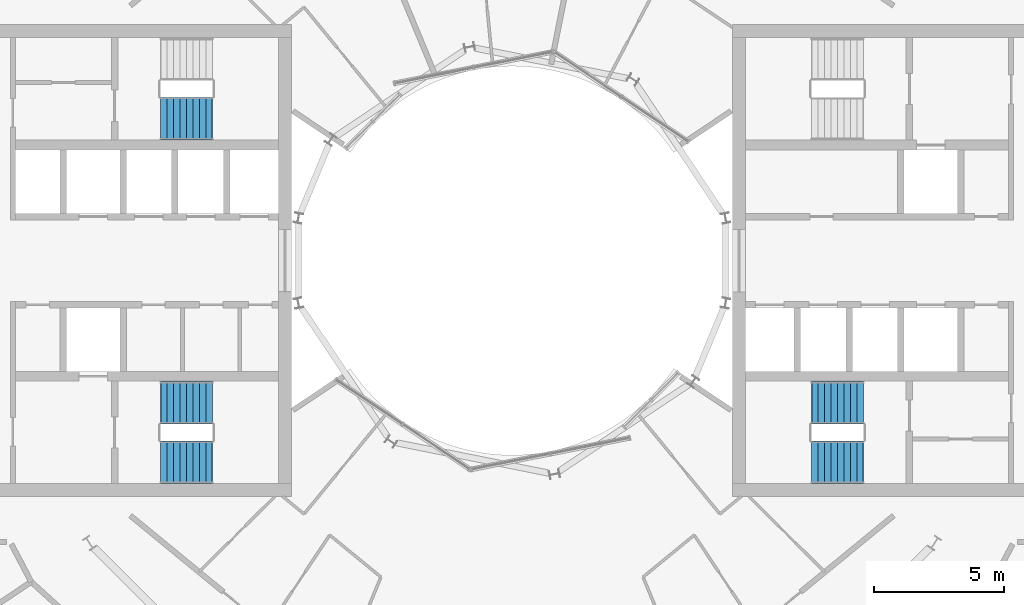
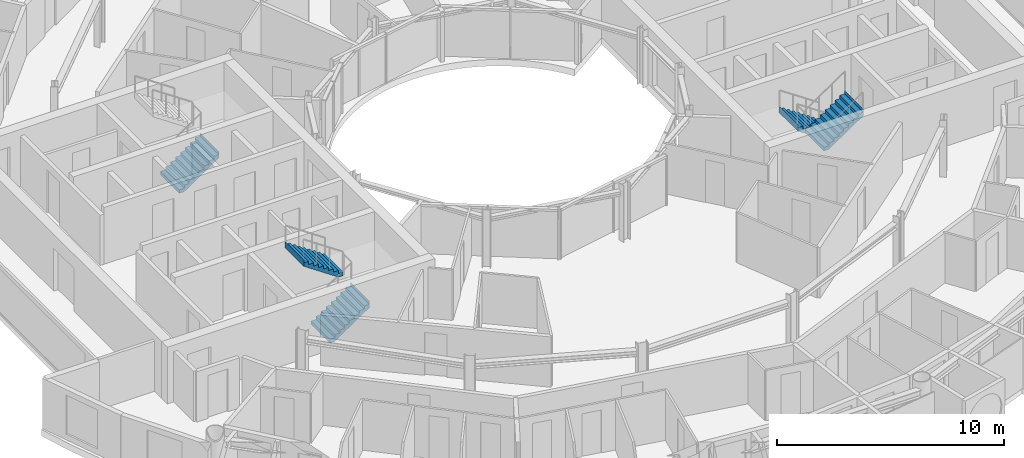
# One storey, part 24 of 27: 5 stair flights, 3 elements without a shape of their own.
"""IFC4 building model written with IfcOpenShell, lengths in metres."""

from ifc_helpers import new_model, si_unit, direction, frame, origin, place, context, subcontext, project, spatial, triangles, material, type_object, element, aggregate, save


model = new_model("IFC4")

# Units and contexts
model_context = context("Model", 3, precision=1e-05, world=origin(), true_north=direction((0.0, 1.0)))
body_context = subcontext(model_context, "Body", "Model", "MODEL_VIEW")
ifc_project = project(units=[si_unit("LENGTHUNIT", "METRE"), si_unit("AREAUNIT", "SQUARE_METRE"), si_unit("VOLUMEUNIT", "CUBIC_METRE"), si_unit("PLANEANGLEUNIT", "RADIAN"), si_unit("MASSUNIT", "GRAM", prefix="KILO")], contexts=[model_context])

# Site, building, storey
site_placement = place(None, origin())
site = spatial("IfcSite", under=ifc_project, at=site_placement, CompositionType="ELEMENT")
building_placement = place(site_placement, origin())
building = spatial("IfcBuilding", under=site, at=building_placement, Name="Maasbend Ring Residences", CompositionType="ELEMENT")
storey_placement = place(building_placement, frame((0.0, 0.0, 148.25)))
storey = spatial("IfcBuildingStorey", under=building, at=storey_placement, Name="L42", CompositionType="ELEMENT", Elevation=148.25)

# Stair, stair flights
ifc_material_1 = material(Name="Concrete C40/50", Category="concrete")
stair_type = type_object("IfcStairType", Name="CORE STAIR 18 RISERS", PredefinedType="HALF_TURN_STAIR", material=ifc_material_1)
stair_1_placement = place(storey_placement, origin())
stair_1 = element("IfcStair", 1, at=stair_1_placement, inside=storey, type_object=stair_type, Name="L42 Exit stair ST-E2", PredefinedType="HALF_TURN_STAIR")
ifc_material_2 = material(Name="Concrete C40/50", Category="concrete")
stair_flight_type = type_object("IfcStairFlightType", Name="CORE STAIR FLIGHT 1650", PredefinedType="STRAIGHT", material=ifc_material_2)
stair_flight_1_placement = place(storey_placement, frame((13.550048828125, -5.47509765625, 0.0), z_axis=(0.0, 0.0, 1.0), x_axis=(-1.0, 0.0, 0.0)))
stair_flight_1 = element("IfcStairFlight", 2, at=stair_flight_1_placement, type_object=stair_flight_type, Name="ST-E2 flight 1", NumberOfRisers=9, NumberOfTreads=8, PredefinedType="STRAIGHT", RiserHeight=0.169444444, TreadLength=0.25, context=body_context, shape_type="Tessellation", body=[
    triangles([(0.24072265625, 0.824951171875, -0.02001953125), (2.0029296875, 0.824951171875, 1.174560546875), (2.0029296875, 0.824951171875, 1.52490234375), (1.989990234375, 0.824951171875, 1.35546875), (1.75, 0.824951171875, 1.35546875), (1.75, 0.824951171875, 1.18603515625), (1.5, 0.824951171875, 1.18603515625), (1.5, 0.824951171875, 1.0166015625), (1.25, 0.824951171875, 1.0166015625), (1.25, 0.824951171875, 0.84716796875), (1.0, 0.824951171875, 0.84716796875), (1.0, 0.824951171875, 0.677734375), (0.75, 0.824951171875, 0.677734375), (0.75, 0.824951171875, 0.50830078125), (0.5, 0.824951171875, 0.50830078125), (0.5, 0.824951171875, 0.3388671875), (0.25, 0.824951171875, 0.3388671875), (0.25, 0.824951171875, 0.16943359375), (0.0, 0.824951171875, 0.16943359375), (0.0, 0.824951171875, 0.0), (-0.0029296875, 0.824951171875, 0.0), (-0.0029296875, 0.824951171875, -0.02001953125), (0.24072265625, 0.27490234375, -0.02001953125), (2.0029296875, 0.27490234375, 1.174560546875), (2.0029296875, 0.27490234375, 1.52490234375), (1.989990234375, 0.27490234375, 1.35546875), (1.75, 0.27490234375, 1.35546875), (1.75, 0.27490234375, 1.18603515625), (1.5, 0.27490234375, 1.18603515625), (1.5, 0.27490234375, 1.0166015625), (1.25, 0.27490234375, 1.0166015625), (1.25, 0.27490234375, 0.84716796875), (1.0, 0.27490234375, 0.84716796875), (1.0, 0.27490234375, 0.677734375), (0.75, 0.27490234375, 0.677734375), (0.75, 0.27490234375, 0.50830078125), (0.5, 0.27490234375, 0.50830078125), (0.5, 0.27490234375, 0.3388671875), (0.25, 0.27490234375, 0.3388671875), (0.25, 0.27490234375, 0.16943359375), (0.0, 0.27490234375, 0.16943359375), (0.0, 0.27490234375, 0.0), (-0.0029296875, 0.27490234375, 0.0), (-0.0029296875, 0.27490234375, -0.02001953125), (0.24072265625, -0.27490234375, -0.02001953125), (2.0029296875, -0.27490234375, 1.174560546875), (2.0029296875, -0.27490234375, 1.52490234375), (1.989990234375, -0.27490234375, 1.35546875), (1.75, -0.27490234375, 1.35546875), (1.75, -0.27490234375, 1.18603515625), (1.5, -0.27490234375, 1.18603515625), (1.5, -0.27490234375, 1.0166015625), (1.25, -0.27490234375, 1.0166015625), (1.25, -0.27490234375, 0.84716796875), (1.0, -0.27490234375, 0.84716796875), (1.0, -0.27490234375, 0.677734375), (0.75, -0.27490234375, 0.677734375), (0.75, -0.27490234375, 0.50830078125), (0.5, -0.27490234375, 0.50830078125), (0.5, -0.27490234375, 0.3388671875), (0.25, -0.27490234375, 0.3388671875), (0.25, -0.27490234375, 0.16943359375), (0.0, -0.27490234375, 0.16943359375), (0.0, -0.27490234375, 0.0), (-0.0029296875, -0.27490234375, 0.0), (-0.0029296875, -0.27490234375, -0.02001953125), (0.24072265625, -0.824951171875, -0.02001953125), (2.0029296875, -0.824951171875, 1.174560546875), (2.0029296875, -0.824951171875, 1.52490234375), (1.989990234375, -0.824951171875, 1.35546875), (1.75, -0.824951171875, 1.35546875), (1.75, -0.824951171875, 1.18603515625), (1.5, -0.824951171875, 1.18603515625), (1.5, -0.824951171875, 1.0166015625), (1.25, -0.824951171875, 1.0166015625), (1.25, -0.824951171875, 0.84716796875), (1.0, -0.824951171875, 0.84716796875), (1.0, -0.824951171875, 0.677734375), (0.75, -0.824951171875, 0.677734375), (0.75, -0.824951171875, 0.50830078125), (0.5, -0.824951171875, 0.50830078125), (0.5, -0.824951171875, 0.3388671875), (0.25, -0.824951171875, 0.3388671875), (0.25, -0.824951171875, 0.16943359375), (0.0, -0.824951171875, 0.16943359375), (0.0, -0.824951171875, 0.0), (-0.0029296875, -0.824951171875, 0.0), (-0.0029296875, -0.824951171875, -0.02001953125)], [[1, 2, 24], [1, 24, 23], [23, 24, 46], [23, 46, 45], [45, 46, 68], [45, 68, 67], [2, 3, 25], [2, 25, 24], [24, 25, 47], [24, 47, 46], [46, 47, 69], [46, 69, 68], [3, 4, 26], [3, 26, 25], [25, 26, 48], [25, 48, 47], [47, 48, 70], [47, 70, 69], [4, 5, 27], [4, 27, 26], [26, 27, 49], [26, 49, 48], [48, 49, 71], [48, 71, 70], [5, 6, 28], [5, 28, 27], [27, 28, 50], [27, 50, 49], [49, 50, 72], [49, 72, 71], [6, 7, 29], [6, 29, 28], [28, 29, 51], [28, 51, 50], [50, 51, 73], [50, 73, 72], [7, 8, 30], [7, 30, 29], [29, 30, 52], [29, 52, 51], [51, 52, 74], [51, 74, 73], [8, 9, 31], [8, 31, 30], [30, 31, 53], [30, 53, 52], [52, 53, 75], [52, 75, 74], [9, 10, 32], [9, 32, 31], [31, 32, 54], [31, 54, 53], [53, 54, 76], [53, 76, 75], [10, 11, 33], [10, 33, 32], [32, 33, 55], [32, 55, 54], [54, 55, 77], [54, 77, 76], [11, 12, 34], [11, 34, 33], [33, 34, 56], [33, 56, 55], [55, 56, 78], [55, 78, 77], [12, 13, 35], [12, 35, 34], [34, 35, 57], [34, 57, 56], [56, 57, 79], [56, 79, 78], [13, 14, 36], [13, 36, 35], [35, 36, 58], [35, 58, 57], [57, 58, 80], [57, 80, 79], [14, 15, 37], [14, 37, 36], [36, 37, 59], [36, 59, 58], [58, 59, 81], [58, 81, 80], [15, 16, 38], [15, 38, 37], [37, 38, 60], [37, 60, 59], [59, 60, 82], [59, 82, 81], [16, 17, 39], [16, 39, 38], [38, 39, 61], [38, 61, 60], [60, 61, 83], [60, 83, 82], [17, 18, 40], [17, 40, 39], [39, 40, 62], [39, 62, 61], [61, 62, 84], [61, 84, 83], [18, 19, 41], [18, 41, 40], [40, 41, 63], [40, 63, 62], [62, 63, 85], [62, 85, 84], [19, 20, 42], [19, 42, 41], [41, 42, 64], [41, 64, 63], [63, 64, 86], [63, 86, 85], [20, 21, 43], [20, 43, 42], [42, 43, 65], [42, 65, 64], [64, 65, 87], [64, 87, 86], [21, 22, 44], [21, 44, 43], [43, 44, 66], [43, 66, 65], [65, 66, 88], [65, 88, 87], [22, 1, 23], [22, 23, 44], [44, 23, 45], [44, 45, 66], [66, 45, 67], [66, 67, 88], [22, 2, 1], [2, 4, 3], [2, 5, 4], [2, 6, 5], [22, 6, 2], [6, 8, 7], [22, 8, 6], [8, 10, 9], [22, 10, 8], [10, 12, 11], [22, 12, 10], [12, 14, 13], [22, 14, 12], [14, 16, 15], [22, 16, 14], [16, 18, 17], [22, 18, 16], [18, 20, 19], [22, 20, 18], [20, 22, 21], [88, 67, 68], [68, 69, 70], [68, 70, 71], [68, 71, 72], [88, 68, 72], [72, 73, 74], [88, 72, 74], [74, 75, 76], [88, 74, 76], [76, 77, 78], [88, 76, 78], [78, 79, 80], [88, 78, 80], [80, 81, 82], [88, 80, 82], [82, 83, 84], [88, 82, 84], [84, 85, 86], [88, 84, 86], [86, 87, 88]], closed=True),
])
stair_flight_2_placement = place(storey_placement, frame((11.550048828125, -7.77490234375, 1.52490234375), z_axis=(0.0, 0.0, 1.0), x_axis=(1.0, 0.0, 0.0)))
stair_flight_2 = element("IfcStairFlight", 3, at=stair_flight_2_placement, type_object=stair_flight_type, Name="ST-E2 flight 2", NumberOfRisers=9, NumberOfTreads=8, PredefinedType="STRAIGHT", RiserHeight=0.169444444, TreadLength=0.25, context=body_context, shape_type="Tessellation", body=[
    triangles([(0.24072265625, 0.824951171875, -0.02001953125), (2.0029296875, 0.824951171875, 1.174560546875), (2.0029296875, 0.824951171875, 1.52490234375), (1.989990234375, 0.824951171875, 1.35546875), (1.75, 0.824951171875, 1.35546875), (1.75, 0.824951171875, 1.18603515625), (1.5, 0.824951171875, 1.18603515625), (1.5, 0.824951171875, 1.0166015625), (1.25, 0.824951171875, 1.0166015625), (1.25, 0.824951171875, 0.84716796875), (1.0, 0.824951171875, 0.84716796875), (1.0, 0.824951171875, 0.677734375), (0.75, 0.824951171875, 0.677734375), (0.75, 0.824951171875, 0.50830078125), (0.5, 0.824951171875, 0.50830078125), (0.5, 0.824951171875, 0.3388671875), (0.25, 0.824951171875, 0.3388671875), (0.25, 0.824951171875, 0.16943359375), (0.0, 0.824951171875, 0.16943359375), (0.0, 0.824951171875, 0.0), (-0.0029296875, 0.824951171875, 0.0), (-0.0029296875, 0.824951171875, -0.02001953125), (0.24072265625, 0.27490234375, -0.02001953125), (2.0029296875, 0.27490234375, 1.174560546875), (2.0029296875, 0.27490234375, 1.52490234375), (1.989990234375, 0.27490234375, 1.35546875), (1.75, 0.27490234375, 1.35546875), (1.75, 0.27490234375, 1.18603515625), (1.5, 0.27490234375, 1.18603515625), (1.5, 0.27490234375, 1.0166015625), (1.25, 0.27490234375, 1.0166015625), (1.25, 0.27490234375, 0.84716796875), (1.0, 0.27490234375, 0.84716796875), (1.0, 0.27490234375, 0.677734375), (0.75, 0.27490234375, 0.677734375), (0.75, 0.27490234375, 0.50830078125), (0.5, 0.27490234375, 0.50830078125), (0.5, 0.27490234375, 0.3388671875), (0.25, 0.27490234375, 0.3388671875), (0.25, 0.27490234375, 0.16943359375), (0.0, 0.27490234375, 0.16943359375), (0.0, 0.27490234375, 0.0), (-0.0029296875, 0.27490234375, 0.0), (-0.0029296875, 0.27490234375, -0.02001953125), (0.24072265625, -0.27490234375, -0.02001953125), (2.0029296875, -0.27490234375, 1.174560546875), (2.0029296875, -0.27490234375, 1.52490234375), (1.989990234375, -0.27490234375, 1.35546875), (1.75, -0.27490234375, 1.35546875), (1.75, -0.27490234375, 1.18603515625), (1.5, -0.27490234375, 1.18603515625), (1.5, -0.27490234375, 1.0166015625), (1.25, -0.27490234375, 1.0166015625), (1.25, -0.27490234375, 0.84716796875), (1.0, -0.27490234375, 0.84716796875), (1.0, -0.27490234375, 0.677734375), (0.75, -0.27490234375, 0.677734375), (0.75, -0.27490234375, 0.50830078125), (0.5, -0.27490234375, 0.50830078125), (0.5, -0.27490234375, 0.3388671875), (0.25, -0.27490234375, 0.3388671875), (0.25, -0.27490234375, 0.16943359375), (0.0, -0.27490234375, 0.16943359375), (0.0, -0.27490234375, 0.0), (-0.0029296875, -0.27490234375, 0.0), (-0.0029296875, -0.27490234375, -0.02001953125), (0.24072265625, -0.824951171875, -0.02001953125), (2.0029296875, -0.824951171875, 1.174560546875), (2.0029296875, -0.824951171875, 1.52490234375), (1.989990234375, -0.824951171875, 1.35546875), (1.75, -0.824951171875, 1.35546875), (1.75, -0.824951171875, 1.18603515625), (1.5, -0.824951171875, 1.18603515625), (1.5, -0.824951171875, 1.0166015625), (1.25, -0.824951171875, 1.0166015625), (1.25, -0.824951171875, 0.84716796875), (1.0, -0.824951171875, 0.84716796875), (1.0, -0.824951171875, 0.677734375), (0.75, -0.824951171875, 0.677734375), (0.75, -0.824951171875, 0.50830078125), (0.5, -0.824951171875, 0.50830078125), (0.5, -0.824951171875, 0.3388671875), (0.25, -0.824951171875, 0.3388671875), (0.25, -0.824951171875, 0.16943359375), (0.0, -0.824951171875, 0.16943359375), (0.0, -0.824951171875, 0.0), (-0.0029296875, -0.824951171875, 0.0), (-0.0029296875, -0.824951171875, -0.02001953125)], [[1, 2, 24], [1, 24, 23], [23, 24, 46], [23, 46, 45], [45, 46, 68], [45, 68, 67], [2, 3, 25], [2, 25, 24], [24, 25, 47], [24, 47, 46], [46, 47, 69], [46, 69, 68], [3, 4, 26], [3, 26, 25], [25, 26, 48], [25, 48, 47], [47, 48, 70], [47, 70, 69], [4, 5, 27], [4, 27, 26], [26, 27, 49], [26, 49, 48], [48, 49, 71], [48, 71, 70], [5, 6, 28], [5, 28, 27], [27, 28, 50], [27, 50, 49], [49, 50, 72], [49, 72, 71], [6, 7, 29], [6, 29, 28], [28, 29, 51], [28, 51, 50], [50, 51, 73], [50, 73, 72], [7, 8, 30], [7, 30, 29], [29, 30, 52], [29, 52, 51], [51, 52, 74], [51, 74, 73], [8, 9, 31], [8, 31, 30], [30, 31, 53], [30, 53, 52], [52, 53, 75], [52, 75, 74], [9, 10, 32], [9, 32, 31], [31, 32, 54], [31, 54, 53], [53, 54, 76], [53, 76, 75], [10, 11, 33], [10, 33, 32], [32, 33, 55], [32, 55, 54], [54, 55, 77], [54, 77, 76], [11, 12, 34], [11, 34, 33], [33, 34, 56], [33, 56, 55], [55, 56, 78], [55, 78, 77], [12, 13, 35], [12, 35, 34], [34, 35, 57], [34, 57, 56], [56, 57, 79], [56, 79, 78], [13, 14, 36], [13, 36, 35], [35, 36, 58], [35, 58, 57], [57, 58, 80], [57, 80, 79], [14, 15, 37], [14, 37, 36], [36, 37, 59], [36, 59, 58], [58, 59, 81], [58, 81, 80], [15, 16, 38], [15, 38, 37], [37, 38, 60], [37, 60, 59], [59, 60, 82], [59, 82, 81], [16, 17, 39], [16, 39, 38], [38, 39, 61], [38, 61, 60], [60, 61, 83], [60, 83, 82], [17, 18, 40], [17, 40, 39], [39, 40, 62], [39, 62, 61], [61, 62, 84], [61, 84, 83], [18, 19, 41], [18, 41, 40], [40, 41, 63], [40, 63, 62], [62, 63, 85], [62, 85, 84], [19, 20, 42], [19, 42, 41], [41, 42, 64], [41, 64, 63], [63, 64, 86], [63, 86, 85], [20, 21, 43], [20, 43, 42], [42, 43, 65], [42, 65, 64], [64, 65, 87], [64, 87, 86], [21, 22, 44], [21, 44, 43], [43, 44, 66], [43, 66, 65], [65, 66, 88], [65, 88, 87], [22, 1, 23], [22, 23, 44], [44, 23, 45], [44, 45, 66], [66, 45, 67], [66, 67, 88], [22, 2, 1], [2, 4, 3], [2, 5, 4], [2, 6, 5], [22, 6, 2], [6, 8, 7], [22, 8, 6], [8, 10, 9], [22, 10, 8], [10, 12, 11], [22, 12, 10], [12, 14, 13], [22, 14, 12], [14, 16, 15], [22, 16, 14], [16, 18, 17], [22, 18, 16], [18, 20, 19], [22, 20, 18], [20, 22, 21], [88, 67, 68], [68, 69, 70], [68, 70, 71], [68, 71, 72], [88, 68, 72], [72, 73, 74], [88, 72, 74], [74, 75, 76], [88, 74, 76], [76, 77, 78], [88, 76, 78], [78, 79, 80], [88, 78, 80], [80, 81, 82], [88, 80, 82], [82, 83, 84], [88, 82, 84], [84, 85, 86], [88, 84, 86], [86, 87, 88]], closed=True),
])
aggregate(stair_1, [stair_flight_1, stair_flight_2])

stair_2_placement = place(storey_placement, origin())
stair_2 = element("IfcStair", 4, at=stair_2_placement, inside=storey, type_object=stair_type, Name="L42 Exit stair ST-W1", PredefinedType="HALF_TURN_STAIR")
stair_flight_3_placement = place(storey_placement, frame((-13.550048828125, -7.77490234375, 0.0), z_axis=(0.0, 0.0, 1.0), x_axis=(1.0, 0.0, 0.0)))
stair_flight_3 = element("IfcStairFlight", 5, at=stair_flight_3_placement, type_object=stair_flight_type, Name="ST-W1 flight 1", NumberOfRisers=9, NumberOfTreads=8, PredefinedType="STRAIGHT", RiserHeight=0.169444444, TreadLength=0.25, context=body_context, shape_type="Tessellation", body=[
    triangles([(0.24072265625, 0.824951171875, -0.02001953125), (2.0029296875, 0.824951171875, 1.174560546875), (2.0029296875, 0.824951171875, 1.52490234375), (1.989990234375, 0.824951171875, 1.35546875), (1.75, 0.824951171875, 1.35546875), (1.75, 0.824951171875, 1.18603515625), (1.5, 0.824951171875, 1.18603515625), (1.5, 0.824951171875, 1.0166015625), (1.25, 0.824951171875, 1.0166015625), (1.25, 0.824951171875, 0.84716796875), (1.0, 0.824951171875, 0.84716796875), (1.0, 0.824951171875, 0.677734375), (0.75, 0.824951171875, 0.677734375), (0.75, 0.824951171875, 0.50830078125), (0.5, 0.824951171875, 0.50830078125), (0.5, 0.824951171875, 0.3388671875), (0.25, 0.824951171875, 0.3388671875), (0.25, 0.824951171875, 0.16943359375), (0.0, 0.824951171875, 0.16943359375), (0.0, 0.824951171875, 0.0), (-0.0029296875, 0.824951171875, 0.0), (-0.0029296875, 0.824951171875, -0.02001953125), (0.24072265625, 0.27490234375, -0.02001953125), (2.0029296875, 0.27490234375, 1.174560546875), (2.0029296875, 0.27490234375, 1.52490234375), (1.989990234375, 0.27490234375, 1.35546875), (1.75, 0.27490234375, 1.35546875), (1.75, 0.27490234375, 1.18603515625), (1.5, 0.27490234375, 1.18603515625), (1.5, 0.27490234375, 1.0166015625), (1.25, 0.27490234375, 1.0166015625), (1.25, 0.27490234375, 0.84716796875), (1.0, 0.27490234375, 0.84716796875), (1.0, 0.27490234375, 0.677734375), (0.75, 0.27490234375, 0.677734375), (0.75, 0.27490234375, 0.50830078125), (0.5, 0.27490234375, 0.50830078125), (0.5, 0.27490234375, 0.3388671875), (0.25, 0.27490234375, 0.3388671875), (0.25, 0.27490234375, 0.16943359375), (0.0, 0.27490234375, 0.16943359375), (0.0, 0.27490234375, 0.0), (-0.0029296875, 0.27490234375, 0.0), (-0.0029296875, 0.27490234375, -0.02001953125), (0.24072265625, -0.27490234375, -0.02001953125), (2.0029296875, -0.27490234375, 1.174560546875), (2.0029296875, -0.27490234375, 1.52490234375), (1.989990234375, -0.27490234375, 1.35546875), (1.75, -0.27490234375, 1.35546875), (1.75, -0.27490234375, 1.18603515625), (1.5, -0.27490234375, 1.18603515625), (1.5, -0.27490234375, 1.0166015625), (1.25, -0.27490234375, 1.0166015625), (1.25, -0.27490234375, 0.84716796875), (1.0, -0.27490234375, 0.84716796875), (1.0, -0.27490234375, 0.677734375), (0.75, -0.27490234375, 0.677734375), (0.75, -0.27490234375, 0.50830078125), (0.5, -0.27490234375, 0.50830078125), (0.5, -0.27490234375, 0.3388671875), (0.25, -0.27490234375, 0.3388671875), (0.25, -0.27490234375, 0.16943359375), (0.0, -0.27490234375, 0.16943359375), (0.0, -0.27490234375, 0.0), (-0.0029296875, -0.27490234375, 0.0), (-0.0029296875, -0.27490234375, -0.02001953125), (0.24072265625, -0.824951171875, -0.02001953125), (2.0029296875, -0.824951171875, 1.174560546875), (2.0029296875, -0.824951171875, 1.52490234375), (1.989990234375, -0.824951171875, 1.35546875), (1.75, -0.824951171875, 1.35546875), (1.75, -0.824951171875, 1.18603515625), (1.5, -0.824951171875, 1.18603515625), (1.5, -0.824951171875, 1.0166015625), (1.25, -0.824951171875, 1.0166015625), (1.25, -0.824951171875, 0.84716796875), (1.0, -0.824951171875, 0.84716796875), (1.0, -0.824951171875, 0.677734375), (0.75, -0.824951171875, 0.677734375), (0.75, -0.824951171875, 0.50830078125), (0.5, -0.824951171875, 0.50830078125), (0.5, -0.824951171875, 0.3388671875), (0.25, -0.824951171875, 0.3388671875), (0.25, -0.824951171875, 0.16943359375), (0.0, -0.824951171875, 0.16943359375), (0.0, -0.824951171875, 0.0), (-0.0029296875, -0.824951171875, 0.0), (-0.0029296875, -0.824951171875, -0.02001953125)], [[1, 2, 24], [1, 24, 23], [23, 24, 46], [23, 46, 45], [45, 46, 68], [45, 68, 67], [2, 3, 25], [2, 25, 24], [24, 25, 47], [24, 47, 46], [46, 47, 69], [46, 69, 68], [3, 4, 26], [3, 26, 25], [25, 26, 48], [25, 48, 47], [47, 48, 70], [47, 70, 69], [4, 5, 27], [4, 27, 26], [26, 27, 49], [26, 49, 48], [48, 49, 71], [48, 71, 70], [5, 6, 28], [5, 28, 27], [27, 28, 50], [27, 50, 49], [49, 50, 72], [49, 72, 71], [6, 7, 29], [6, 29, 28], [28, 29, 51], [28, 51, 50], [50, 51, 73], [50, 73, 72], [7, 8, 30], [7, 30, 29], [29, 30, 52], [29, 52, 51], [51, 52, 74], [51, 74, 73], [8, 9, 31], [8, 31, 30], [30, 31, 53], [30, 53, 52], [52, 53, 75], [52, 75, 74], [9, 10, 32], [9, 32, 31], [31, 32, 54], [31, 54, 53], [53, 54, 76], [53, 76, 75], [10, 11, 33], [10, 33, 32], [32, 33, 55], [32, 55, 54], [54, 55, 77], [54, 77, 76], [11, 12, 34], [11, 34, 33], [33, 34, 56], [33, 56, 55], [55, 56, 78], [55, 78, 77], [12, 13, 35], [12, 35, 34], [34, 35, 57], [34, 57, 56], [56, 57, 79], [56, 79, 78], [13, 14, 36], [13, 36, 35], [35, 36, 58], [35, 58, 57], [57, 58, 80], [57, 80, 79], [14, 15, 37], [14, 37, 36], [36, 37, 59], [36, 59, 58], [58, 59, 81], [58, 81, 80], [15, 16, 38], [15, 38, 37], [37, 38, 60], [37, 60, 59], [59, 60, 82], [59, 82, 81], [16, 17, 39], [16, 39, 38], [38, 39, 61], [38, 61, 60], [60, 61, 83], [60, 83, 82], [17, 18, 40], [17, 40, 39], [39, 40, 62], [39, 62, 61], [61, 62, 84], [61, 84, 83], [18, 19, 41], [18, 41, 40], [40, 41, 63], [40, 63, 62], [62, 63, 85], [62, 85, 84], [19, 20, 42], [19, 42, 41], [41, 42, 64], [41, 64, 63], [63, 64, 86], [63, 86, 85], [20, 21, 43], [20, 43, 42], [42, 43, 65], [42, 65, 64], [64, 65, 87], [64, 87, 86], [21, 22, 44], [21, 44, 43], [43, 44, 66], [43, 66, 65], [65, 66, 88], [65, 88, 87], [22, 1, 23], [22, 23, 44], [44, 23, 45], [44, 45, 66], [66, 45, 67], [66, 67, 88], [22, 2, 1], [2, 4, 3], [2, 5, 4], [2, 6, 5], [22, 6, 2], [6, 8, 7], [22, 8, 6], [8, 10, 9], [22, 10, 8], [10, 12, 11], [22, 12, 10], [12, 14, 13], [22, 14, 12], [14, 16, 15], [22, 16, 14], [16, 18, 17], [22, 18, 16], [18, 20, 19], [22, 20, 18], [20, 22, 21], [88, 67, 68], [68, 69, 70], [68, 70, 71], [68, 71, 72], [88, 68, 72], [72, 73, 74], [88, 72, 74], [74, 75, 76], [88, 74, 76], [76, 77, 78], [88, 76, 78], [78, 79, 80], [88, 78, 80], [80, 81, 82], [88, 80, 82], [82, 83, 84], [88, 82, 84], [84, 85, 86], [88, 84, 86], [86, 87, 88]], closed=True),
])
stair_flight_4_placement = place(storey_placement, frame((-11.550048828125, -5.47509765625, 1.52490234375), z_axis=(0.0, 0.0, 1.0), x_axis=(-1.0, 0.0, 0.0)))
stair_flight_4 = element("IfcStairFlight", 6, at=stair_flight_4_placement, type_object=stair_flight_type, Name="ST-W1 flight 2", NumberOfRisers=9, NumberOfTreads=8, PredefinedType="STRAIGHT", RiserHeight=0.169444444, TreadLength=0.25, context=body_context, shape_type="Tessellation", body=[
    triangles([(0.24072265625, 0.824951171875, -0.02001953125), (2.0029296875, 0.824951171875, 1.174560546875), (2.0029296875, 0.824951171875, 1.52490234375), (1.989990234375, 0.824951171875, 1.35546875), (1.75, 0.824951171875, 1.35546875), (1.75, 0.824951171875, 1.18603515625), (1.5, 0.824951171875, 1.18603515625), (1.5, 0.824951171875, 1.0166015625), (1.25, 0.824951171875, 1.0166015625), (1.25, 0.824951171875, 0.84716796875), (1.0, 0.824951171875, 0.84716796875), (1.0, 0.824951171875, 0.677734375), (0.75, 0.824951171875, 0.677734375), (0.75, 0.824951171875, 0.50830078125), (0.5, 0.824951171875, 0.50830078125), (0.5, 0.824951171875, 0.3388671875), (0.25, 0.824951171875, 0.3388671875), (0.25, 0.824951171875, 0.16943359375), (0.0, 0.824951171875, 0.16943359375), (0.0, 0.824951171875, 0.0), (-0.0029296875, 0.824951171875, 0.0), (-0.0029296875, 0.824951171875, -0.02001953125), (0.24072265625, 0.27490234375, -0.02001953125), (2.0029296875, 0.27490234375, 1.174560546875), (2.0029296875, 0.27490234375, 1.52490234375), (1.989990234375, 0.27490234375, 1.35546875), (1.75, 0.27490234375, 1.35546875), (1.75, 0.27490234375, 1.18603515625), (1.5, 0.27490234375, 1.18603515625), (1.5, 0.27490234375, 1.0166015625), (1.25, 0.27490234375, 1.0166015625), (1.25, 0.27490234375, 0.84716796875), (1.0, 0.27490234375, 0.84716796875), (1.0, 0.27490234375, 0.677734375), (0.75, 0.27490234375, 0.677734375), (0.75, 0.27490234375, 0.50830078125), (0.5, 0.27490234375, 0.50830078125), (0.5, 0.27490234375, 0.3388671875), (0.25, 0.27490234375, 0.3388671875), (0.25, 0.27490234375, 0.16943359375), (0.0, 0.27490234375, 0.16943359375), (0.0, 0.27490234375, 0.0), (-0.0029296875, 0.27490234375, 0.0), (-0.0029296875, 0.27490234375, -0.02001953125), (0.24072265625, -0.27490234375, -0.02001953125), (2.0029296875, -0.27490234375, 1.174560546875), (2.0029296875, -0.27490234375, 1.52490234375), (1.989990234375, -0.27490234375, 1.35546875), (1.75, -0.27490234375, 1.35546875), (1.75, -0.27490234375, 1.18603515625), (1.5, -0.27490234375, 1.18603515625), (1.5, -0.27490234375, 1.0166015625), (1.25, -0.27490234375, 1.0166015625), (1.25, -0.27490234375, 0.84716796875), (1.0, -0.27490234375, 0.84716796875), (1.0, -0.27490234375, 0.677734375), (0.75, -0.27490234375, 0.677734375), (0.75, -0.27490234375, 0.50830078125), (0.5, -0.27490234375, 0.50830078125), (0.5, -0.27490234375, 0.3388671875), (0.25, -0.27490234375, 0.3388671875), (0.25, -0.27490234375, 0.16943359375), (0.0, -0.27490234375, 0.16943359375), (0.0, -0.27490234375, 0.0), (-0.0029296875, -0.27490234375, 0.0), (-0.0029296875, -0.27490234375, -0.02001953125), (0.24072265625, -0.824951171875, -0.02001953125), (2.0029296875, -0.824951171875, 1.174560546875), (2.0029296875, -0.824951171875, 1.52490234375), (1.989990234375, -0.824951171875, 1.35546875), (1.75, -0.824951171875, 1.35546875), (1.75, -0.824951171875, 1.18603515625), (1.5, -0.824951171875, 1.18603515625), (1.5, -0.824951171875, 1.0166015625), (1.25, -0.824951171875, 1.0166015625), (1.25, -0.824951171875, 0.84716796875), (1.0, -0.824951171875, 0.84716796875), (1.0, -0.824951171875, 0.677734375), (0.75, -0.824951171875, 0.677734375), (0.75, -0.824951171875, 0.50830078125), (0.5, -0.824951171875, 0.50830078125), (0.5, -0.824951171875, 0.3388671875), (0.25, -0.824951171875, 0.3388671875), (0.25, -0.824951171875, 0.16943359375), (0.0, -0.824951171875, 0.16943359375), (0.0, -0.824951171875, 0.0), (-0.0029296875, -0.824951171875, 0.0), (-0.0029296875, -0.824951171875, -0.02001953125)], [[1, 2, 24], [1, 24, 23], [23, 24, 46], [23, 46, 45], [45, 46, 68], [45, 68, 67], [2, 3, 25], [2, 25, 24], [24, 25, 47], [24, 47, 46], [46, 47, 69], [46, 69, 68], [3, 4, 26], [3, 26, 25], [25, 26, 48], [25, 48, 47], [47, 48, 70], [47, 70, 69], [4, 5, 27], [4, 27, 26], [26, 27, 49], [26, 49, 48], [48, 49, 71], [48, 71, 70], [5, 6, 28], [5, 28, 27], [27, 28, 50], [27, 50, 49], [49, 50, 72], [49, 72, 71], [6, 7, 29], [6, 29, 28], [28, 29, 51], [28, 51, 50], [50, 51, 73], [50, 73, 72], [7, 8, 30], [7, 30, 29], [29, 30, 52], [29, 52, 51], [51, 52, 74], [51, 74, 73], [8, 9, 31], [8, 31, 30], [30, 31, 53], [30, 53, 52], [52, 53, 75], [52, 75, 74], [9, 10, 32], [9, 32, 31], [31, 32, 54], [31, 54, 53], [53, 54, 76], [53, 76, 75], [10, 11, 33], [10, 33, 32], [32, 33, 55], [32, 55, 54], [54, 55, 77], [54, 77, 76], [11, 12, 34], [11, 34, 33], [33, 34, 56], [33, 56, 55], [55, 56, 78], [55, 78, 77], [12, 13, 35], [12, 35, 34], [34, 35, 57], [34, 57, 56], [56, 57, 79], [56, 79, 78], [13, 14, 36], [13, 36, 35], [35, 36, 58], [35, 58, 57], [57, 58, 80], [57, 80, 79], [14, 15, 37], [14, 37, 36], [36, 37, 59], [36, 59, 58], [58, 59, 81], [58, 81, 80], [15, 16, 38], [15, 38, 37], [37, 38, 60], [37, 60, 59], [59, 60, 82], [59, 82, 81], [16, 17, 39], [16, 39, 38], [38, 39, 61], [38, 61, 60], [60, 61, 83], [60, 83, 82], [17, 18, 40], [17, 40, 39], [39, 40, 62], [39, 62, 61], [61, 62, 84], [61, 84, 83], [18, 19, 41], [18, 41, 40], [40, 41, 63], [40, 63, 62], [62, 63, 85], [62, 85, 84], [19, 20, 42], [19, 42, 41], [41, 42, 64], [41, 64, 63], [63, 64, 86], [63, 86, 85], [20, 21, 43], [20, 43, 42], [42, 43, 65], [42, 65, 64], [64, 65, 87], [64, 87, 86], [21, 22, 44], [21, 44, 43], [43, 44, 66], [43, 66, 65], [65, 66, 88], [65, 88, 87], [22, 1, 23], [22, 23, 44], [44, 23, 45], [44, 45, 66], [66, 45, 67], [66, 67, 88], [22, 2, 1], [2, 4, 3], [2, 5, 4], [2, 6, 5], [22, 6, 2], [6, 8, 7], [22, 8, 6], [8, 10, 9], [22, 10, 8], [10, 12, 11], [22, 12, 10], [12, 14, 13], [22, 14, 12], [14, 16, 15], [22, 16, 14], [16, 18, 17], [22, 18, 16], [18, 20, 19], [22, 20, 18], [20, 22, 21], [88, 67, 68], [68, 69, 70], [68, 70, 71], [68, 71, 72], [88, 68, 72], [72, 73, 74], [88, 72, 74], [74, 75, 76], [88, 74, 76], [76, 77, 78], [88, 76, 78], [78, 79, 80], [88, 78, 80], [80, 81, 82], [88, 80, 82], [82, 83, 84], [88, 82, 84], [84, 85, 86], [88, 84, 86], [86, 87, 88]], closed=True),
])
aggregate(stair_2, [stair_flight_3, stair_flight_4])

# Stair, stair flight
stair_3_placement = place(storey_placement, origin())
stair_3 = element("IfcStair", 7, at=stair_3_placement, inside=storey, type_object=stair_type, Name="L42 Exit stair ST-W2", PredefinedType="HALF_TURN_STAIR")
stair_flight_5_placement = place(storey_placement, frame((-13.550048828125, 5.47509765625, 0.0), z_axis=(0.0, 0.0, 1.0), x_axis=(1.0, 0.0, 0.0)))
stair_flight_5 = element("IfcStairFlight", 8, at=stair_flight_5_placement, type_object=stair_flight_type, Name="ST-W2 flight 1", NumberOfRisers=9, NumberOfTreads=8, PredefinedType="STRAIGHT", RiserHeight=0.169444444, TreadLength=0.25, context=body_context, shape_type="Tessellation", body=[
    triangles([(0.24072265625, 0.824951171875, -0.02001953125), (2.0029296875, 0.824951171875, 1.174560546875), (2.0029296875, 0.824951171875, 1.52490234375), (1.989990234375, 0.824951171875, 1.35546875), (1.75, 0.824951171875, 1.35546875), (1.75, 0.824951171875, 1.18603515625), (1.5, 0.824951171875, 1.18603515625), (1.5, 0.824951171875, 1.0166015625), (1.25, 0.824951171875, 1.0166015625), (1.25, 0.824951171875, 0.84716796875), (1.0, 0.824951171875, 0.84716796875), (1.0, 0.824951171875, 0.677734375), (0.75, 0.824951171875, 0.677734375), (0.75, 0.824951171875, 0.50830078125), (0.5, 0.824951171875, 0.50830078125), (0.5, 0.824951171875, 0.3388671875), (0.25, 0.824951171875, 0.3388671875), (0.25, 0.824951171875, 0.16943359375), (0.0, 0.824951171875, 0.16943359375), (0.0, 0.824951171875, 0.0), (-0.0029296875, 0.824951171875, 0.0), (-0.0029296875, 0.824951171875, -0.02001953125), (0.24072265625, 0.27490234375, -0.02001953125), (2.0029296875, 0.27490234375, 1.174560546875), (2.0029296875, 0.27490234375, 1.52490234375), (1.989990234375, 0.27490234375, 1.35546875), (1.75, 0.27490234375, 1.35546875), (1.75, 0.27490234375, 1.18603515625), (1.5, 0.27490234375, 1.18603515625), (1.5, 0.27490234375, 1.0166015625), (1.25, 0.27490234375, 1.0166015625), (1.25, 0.27490234375, 0.84716796875), (1.0, 0.27490234375, 0.84716796875), (1.0, 0.27490234375, 0.677734375), (0.75, 0.27490234375, 0.677734375), (0.75, 0.27490234375, 0.50830078125), (0.5, 0.27490234375, 0.50830078125), (0.5, 0.27490234375, 0.3388671875), (0.25, 0.27490234375, 0.3388671875), (0.25, 0.27490234375, 0.16943359375), (0.0, 0.27490234375, 0.16943359375), (0.0, 0.27490234375, 0.0), (-0.0029296875, 0.27490234375, 0.0), (-0.0029296875, 0.27490234375, -0.02001953125), (0.24072265625, -0.27490234375, -0.02001953125), (2.0029296875, -0.27490234375, 1.174560546875), (2.0029296875, -0.27490234375, 1.52490234375), (1.989990234375, -0.27490234375, 1.35546875), (1.75, -0.27490234375, 1.35546875), (1.75, -0.27490234375, 1.18603515625), (1.5, -0.27490234375, 1.18603515625), (1.5, -0.27490234375, 1.0166015625), (1.25, -0.27490234375, 1.0166015625), (1.25, -0.27490234375, 0.84716796875), (1.0, -0.27490234375, 0.84716796875), (1.0, -0.27490234375, 0.677734375), (0.75, -0.27490234375, 0.677734375), (0.75, -0.27490234375, 0.50830078125), (0.5, -0.27490234375, 0.50830078125), (0.5, -0.27490234375, 0.3388671875), (0.25, -0.27490234375, 0.3388671875), (0.25, -0.27490234375, 0.16943359375), (0.0, -0.27490234375, 0.16943359375), (0.0, -0.27490234375, 0.0), (-0.0029296875, -0.27490234375, 0.0), (-0.0029296875, -0.27490234375, -0.02001953125), (0.24072265625, -0.824951171875, -0.02001953125), (2.0029296875, -0.824951171875, 1.174560546875), (2.0029296875, -0.824951171875, 1.52490234375), (1.989990234375, -0.824951171875, 1.35546875), (1.75, -0.824951171875, 1.35546875), (1.75, -0.824951171875, 1.18603515625), (1.5, -0.824951171875, 1.18603515625), (1.5, -0.824951171875, 1.0166015625), (1.25, -0.824951171875, 1.0166015625), (1.25, -0.824951171875, 0.84716796875), (1.0, -0.824951171875, 0.84716796875), (1.0, -0.824951171875, 0.677734375), (0.75, -0.824951171875, 0.677734375), (0.75, -0.824951171875, 0.50830078125), (0.5, -0.824951171875, 0.50830078125), (0.5, -0.824951171875, 0.3388671875), (0.25, -0.824951171875, 0.3388671875), (0.25, -0.824951171875, 0.16943359375), (0.0, -0.824951171875, 0.16943359375), (0.0, -0.824951171875, 0.0), (-0.0029296875, -0.824951171875, 0.0), (-0.0029296875, -0.824951171875, -0.02001953125)], [[1, 2, 24], [1, 24, 23], [23, 24, 46], [23, 46, 45], [45, 46, 68], [45, 68, 67], [2, 3, 25], [2, 25, 24], [24, 25, 47], [24, 47, 46], [46, 47, 69], [46, 69, 68], [3, 4, 26], [3, 26, 25], [25, 26, 48], [25, 48, 47], [47, 48, 70], [47, 70, 69], [4, 5, 27], [4, 27, 26], [26, 27, 49], [26, 49, 48], [48, 49, 71], [48, 71, 70], [5, 6, 28], [5, 28, 27], [27, 28, 50], [27, 50, 49], [49, 50, 72], [49, 72, 71], [6, 7, 29], [6, 29, 28], [28, 29, 51], [28, 51, 50], [50, 51, 73], [50, 73, 72], [7, 8, 30], [7, 30, 29], [29, 30, 52], [29, 52, 51], [51, 52, 74], [51, 74, 73], [8, 9, 31], [8, 31, 30], [30, 31, 53], [30, 53, 52], [52, 53, 75], [52, 75, 74], [9, 10, 32], [9, 32, 31], [31, 32, 54], [31, 54, 53], [53, 54, 76], [53, 76, 75], [10, 11, 33], [10, 33, 32], [32, 33, 55], [32, 55, 54], [54, 55, 77], [54, 77, 76], [11, 12, 34], [11, 34, 33], [33, 34, 56], [33, 56, 55], [55, 56, 78], [55, 78, 77], [12, 13, 35], [12, 35, 34], [34, 35, 57], [34, 57, 56], [56, 57, 79], [56, 79, 78], [13, 14, 36], [13, 36, 35], [35, 36, 58], [35, 58, 57], [57, 58, 80], [57, 80, 79], [14, 15, 37], [14, 37, 36], [36, 37, 59], [36, 59, 58], [58, 59, 81], [58, 81, 80], [15, 16, 38], [15, 38, 37], [37, 38, 60], [37, 60, 59], [59, 60, 82], [59, 82, 81], [16, 17, 39], [16, 39, 38], [38, 39, 61], [38, 61, 60], [60, 61, 83], [60, 83, 82], [17, 18, 40], [17, 40, 39], [39, 40, 62], [39, 62, 61], [61, 62, 84], [61, 84, 83], [18, 19, 41], [18, 41, 40], [40, 41, 63], [40, 63, 62], [62, 63, 85], [62, 85, 84], [19, 20, 42], [19, 42, 41], [41, 42, 64], [41, 64, 63], [63, 64, 86], [63, 86, 85], [20, 21, 43], [20, 43, 42], [42, 43, 65], [42, 65, 64], [64, 65, 87], [64, 87, 86], [21, 22, 44], [21, 44, 43], [43, 44, 66], [43, 66, 65], [65, 66, 88], [65, 88, 87], [22, 1, 23], [22, 23, 44], [44, 23, 45], [44, 45, 66], [66, 45, 67], [66, 67, 88], [22, 2, 1], [2, 4, 3], [2, 5, 4], [2, 6, 5], [22, 6, 2], [6, 8, 7], [22, 8, 6], [8, 10, 9], [22, 10, 8], [10, 12, 11], [22, 12, 10], [12, 14, 13], [22, 14, 12], [14, 16, 15], [22, 16, 14], [16, 18, 17], [22, 18, 16], [18, 20, 19], [22, 20, 18], [20, 22, 21], [88, 67, 68], [68, 69, 70], [68, 70, 71], [68, 71, 72], [88, 68, 72], [72, 73, 74], [88, 72, 74], [74, 75, 76], [88, 74, 76], [76, 77, 78], [88, 76, 78], [78, 79, 80], [88, 78, 80], [80, 81, 82], [88, 80, 82], [82, 83, 84], [88, 82, 84], [84, 85, 86], [88, 84, 86], [86, 87, 88]], closed=True),
])
aggregate(stair_3, [stair_flight_5])

save(model, "model.ifc")
